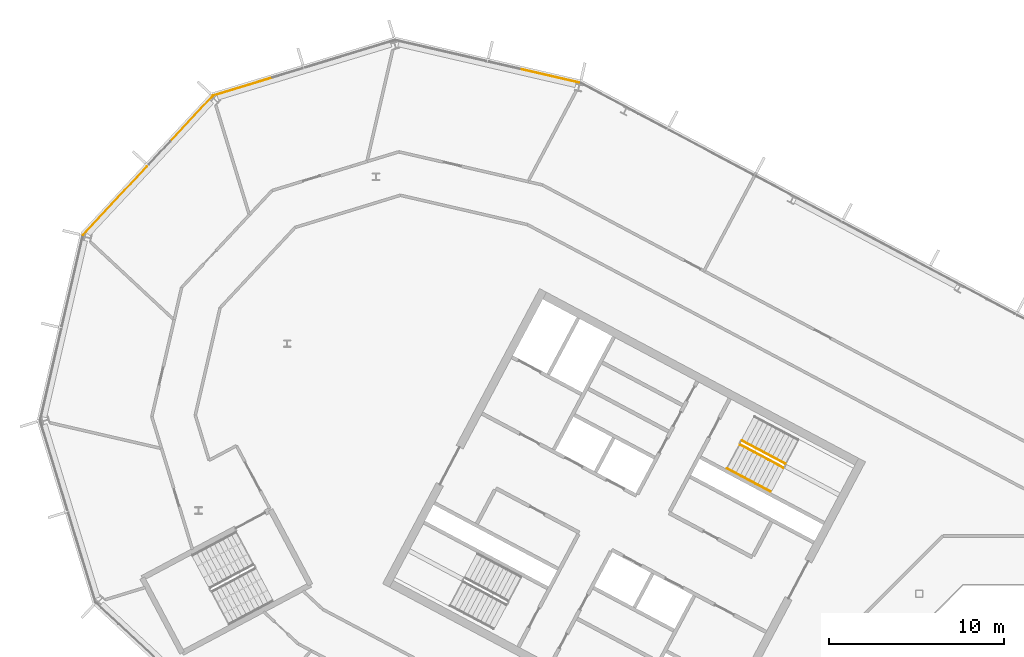
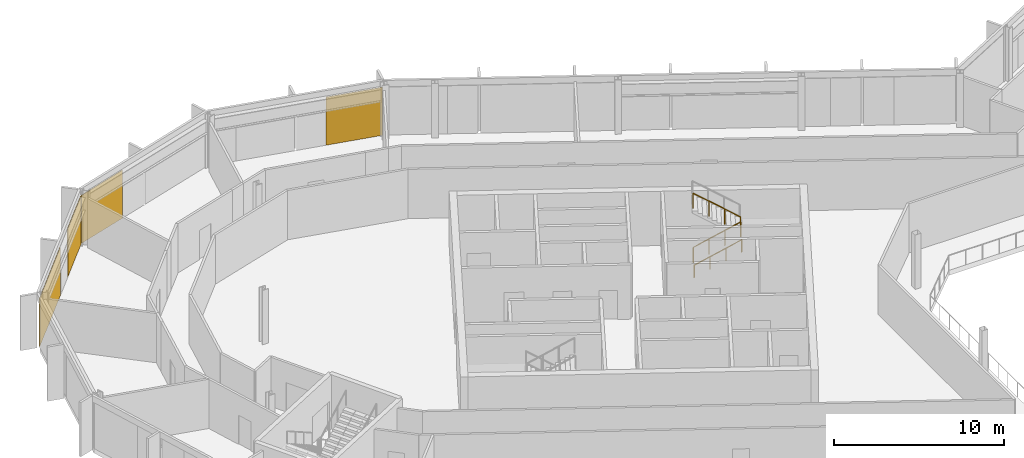
# One storey, part 22 of 26: 4 coverings, 3 railings, 3 elements without a shape of their own.
"""IFC4 building model written with IfcOpenShell, lengths in metres."""

from ifc_helpers import new_model, si_unit, direction, frame, origin, origin_2d, place, context, subcontext, project, spatial, polyline, rectangle, outline, extrude, material, layer, layer_set, type_object, element, aggregate, save


model = new_model("IFC4")

# Units and contexts
model_context = context("Model", 3, precision=1e-05, world=origin(), true_north=direction((0.0, 1.0)))
body_context = subcontext(model_context, "Body", "Model", "MODEL_VIEW")
ifc_project = project(units=[si_unit("LENGTHUNIT", "METRE"), si_unit("AREAUNIT", "SQUARE_METRE"), si_unit("VOLUMEUNIT", "CUBIC_METRE"), si_unit("PLANEANGLEUNIT", "RADIAN"), si_unit("MASSUNIT", "GRAM", prefix="KILO")], contexts=[model_context])

# Site, building, storey
site_placement = place(None, origin())
site = spatial("IfcSite", under=ifc_project, at=site_placement, CompositionType="ELEMENT")
building_placement = place(site_placement, origin())
building = spatial("IfcBuilding", under=site, at=building_placement, Name="Cormorant Relay Tower", CompositionType="ELEMENT")
storey_placement = place(building_placement, frame((0.0, 0.0, 293.10009765625)))
storey = spatial("IfcBuildingStorey", under=building, at=storey_placement, Name="L66", CompositionType="ELEMENT", Elevation=293.10009765625)

# Curtain wall, covering
ifc_material_1 = material(Name="Aluminium 6063-T6 anodised bronze", Category="aluminium")
ifc_layer_1 = layer(ifc_material_1, 0.199951171875)
ifc_layer_set_1 = layer_set([ifc_layer_1], Name="CW1 unitised bronze curtain wall with vertical fins")
curtain_wall_type = type_object("IfcCurtainWallType", Name="CW1 unitised bronze curtain wall with vertical fins", PredefinedType="NOTDEFINED", material=ifc_layer_set_1)
curtain_wall_1_placement = place(storey_placement, origin())
curtain_wall_1 = element("IfcCurtainWall", 1, at=curtain_wall_1_placement, inside=storey, type_object=curtain_wall_type, Name="CW1 curtain wall 10", PredefinedType="NOTDEFINED")
ifc_material_2 = material(Name="Pale bronze anodised aluminium insulated panel", Category="aluminium")
ifc_layer_2 = layer(ifc_material_2, 0.0400390625)
ifc_layer_set_2 = layer_set([ifc_layer_2], Name="CW1 pale bronze insulated panel 40")
covering_type = type_object("IfcCoveringType", Name="CW1 pale bronze insulated panel 40", PredefinedType="CLADDING", material=ifc_layer_set_2)
covering_1_placement = place(storey_placement, frame((-31.640380859375, 40.096435546875, 0.0), z_axis=(0.0, 0.0, 1.0), x_axis=(-0.974370064785, 0.224951054344, 0.0)))
covering_1 = element("IfcCovering", 2, at=covering_1_placement, type_object=covering_type, Name="CW1 panel S00", PredefinedType="CLADDING", context=body_context, shape_type="SweptSolid", body=[
    extrude(rectangle(XDim=3.485107421875, YDim=0.0400390625, at=origin_2d()), origin(), (0.0, 0.0, 1.0), 3.449951171875),
])
aggregate(curtain_wall_1, [covering_1])

curtain_wall_2_placement = place(storey_placement, origin())
curtain_wall_2 = element("IfcCurtainWall", 3, at=curtain_wall_2_placement, inside=storey, type_object=curtain_wall_type, Name="CW1 curtain wall 11", PredefinedType="NOTDEFINED")
covering_2_placement = place(storey_placement, frame((-49.16455078125, 39.474853515625, 0.0), z_axis=(0.0, 0.0, 1.0), x_axis=(-0.956304755963, -0.292371704723, 0.0)))
covering_2 = element("IfcCovering", 4, at=covering_2_placement, type_object=covering_type, Name="CW1 panel S02", PredefinedType="CLADDING", context=body_context, shape_type="SweptSolid", body=[
    extrude(rectangle(XDim=3.560302734375, YDim=0.0400390625, at=origin_2d()), origin(), (0.0, 0.0, 1.0), 3.449951171875),
])
aggregate(curtain_wall_2, [covering_2])

# Curtain wall, coverings
curtain_wall_3_placement = place(storey_placement, origin())
curtain_wall_3 = element("IfcCurtainWall", 5, at=curtain_wall_3_placement, inside=storey, type_object=curtain_wall_type, Name="CW1 curtain wall 12", PredefinedType="NOTDEFINED")
covering_3_placement = place(storey_placement, frame((-52.115234375, 37.61962890625, 0.0), z_axis=(0.0, 0.0, 1.0), x_axis=(-0.681998360062, -0.731353701619, 0.0)))
covering_3 = element("IfcCovering", 6, at=covering_3_placement, type_object=covering_type, Name="CW1 panel S00", PredefinedType="CLADDING", context=body_context, shape_type="SweptSolid", body=[
    extrude(rectangle(XDim=3.485107421875, YDim=0.0400390625, at=origin_2d()), origin(), (0.0, 0.0, 1.0), 3.449951171875),
])
covering_4_placement = place(storey_placement, frame((-56.461181640625, 32.958984375, 0.0), z_axis=(0.0, 0.0, 1.0), x_axis=(-0.681998360062, -0.731353701619, 0.0)))
covering_4 = element("IfcCovering", 7, at=covering_4_placement, type_object=covering_type, Name="CW1 panel S02", PredefinedType="CLADDING", context=body_context, shape_type="SweptSolid", body=[
    extrude(rectangle(XDim=5.360107421875, YDim=0.0400390625, at=origin_2d()), origin(), (0.0, 0.0, 1.0), 3.449951171875),
])
aggregate(curtain_wall_3, [covering_3, covering_4])

# Railings
ifc_material_3 = material(Name="Steel ASTM A572 Grade 50 (Fy 345 MPa)", Category="steel")
railing_type_1 = type_object("IfcRailingType", Name="Stair guard 1100", PredefinedType="GUARDRAIL", material=ifc_material_3)
railing_1_placement = place(storey_placement, frame((-20.75048828125, 19.017822265625, 0.17724609375)))
element("IfcRailing", 8, at=railing_1_placement, inside=storey, type_object=railing_type_1, Name="L66 A1 stair guard 1", PredefinedType="GUARDRAIL", context=body_context, shape_type="SweptSolid", body=[
    extrude(outline(polyline([(0.022216796875, 0.00927734375), (0.00927734375, 0.022216796875), (-0.00927734375, 0.022216796875), (-0.022216796875, 0.00927734375), (-0.022216796875, -0.00927734375), (-0.00927734375, -0.022216796875), (0.00927734375, -0.022216796875), (0.022216796875, -0.00927734375), (0.022216796875, 0.00927734375)])), frame((0.0, 0.0, 1.076171875), z_axis=(0.746001213114, -0.396649272309, 0.534931345884), x_axis=(0.469465464807, 0.882950835185, 0.0)), (0.0, 0.0, 1.0), 3.31396484375),
    extrude(outline(polyline([(0.019287109375, 0.008056640625), (0.008056640625, 0.019287109375), (-0.008056640625, 0.019287109375), (-0.019287109375, 0.008056640625), (-0.019287109375, -0.008056640625), (-0.008056640625, -0.019287109375), (0.008056640625, -0.019287109375), (0.019287109375, -0.008056640625), (0.019287109375, 0.008056640625)])), origin(), (0.0, 0.0, 1.0), 1.052001953125),
    extrude(outline(polyline([(0.019287109375, 0.008056640625), (0.008056640625, 0.019287109375), (-0.008056640625, 0.019287109375), (-0.019287109375, 0.008056640625), (-0.019287109375, -0.008056640625), (-0.008056640625, -0.019287109375), (0.008056640625, -0.019287109375), (0.019287109375, -0.008056640625), (0.019287109375, 0.008056640625)])), frame((0.823974609375, -0.438232421875, 0.5908203125)), (0.0, 0.0, 1.0), 1.052001953125),
    extrude(outline(polyline([(0.019287109375, 0.008056640625), (0.008056640625, 0.019287109375), (-0.008056640625, 0.019287109375), (-0.019287109375, 0.008056640625), (-0.019287109375, -0.008056640625), (-0.008056640625, -0.019287109375), (0.008056640625, -0.019287109375), (0.019287109375, -0.008056640625), (0.019287109375, 0.008056640625)])), frame((1.648193359375, -0.876220703125, 1.181884765625)), (0.0, 0.0, 1.0), 1.052001953125),
    extrude(outline(polyline([(0.019287109375, 0.008056640625), (0.008056640625, 0.019287109375), (-0.008056640625, 0.019287109375), (-0.019287109375, 0.008056640625), (-0.019287109375, -0.008056640625), (-0.008056640625, -0.019287109375), (0.008056640625, -0.019287109375), (0.019287109375, -0.008056640625), (0.019287109375, 0.008056640625)])), frame((2.47216796875, -1.314453125, 1.772705078125)), (0.0, 0.0, 1.0), 1.052001953125),
])
railing_2_placement = place(storey_placement, frame((-18.160888671875, 17.924072265625, 2.127197265625)))
element("IfcRailing", 9, at=railing_2_placement, inside=storey, type_object=railing_type_1, Name="L66 A1 stair guard 3", PredefinedType="GUARDRAIL", context=body_context, shape_type="SweptSolid", body=[
    extrude(outline(polyline([(0.022216796875, 0.00927734375), (0.00927734375, 0.022216796875), (-0.00927734375, 0.022216796875), (-0.022216796875, 0.00927734375), (-0.022216796875, -0.00927734375), (-0.00927734375, -0.022216796875), (0.00927734375, -0.022216796875), (0.022216796875, -0.00927734375), (0.022216796875, 0.00927734375)])), frame((0.0, 0.0, 1.076171875), z_axis=(-0.746033882577, 0.396627473466, 0.534901947407), x_axis=(-0.469429322983, -0.882970050864, 0.0)), (0.0, 0.0, 1.0), 3.31396484375),
    extrude(outline(polyline([(0.019287109375, 0.008056640625), (0.008056640625, 0.019287109375), (-0.008056640625, 0.019287109375), (-0.019287109375, 0.008056640625), (-0.019287109375, -0.008056640625), (-0.008056640625, -0.019287109375), (0.008056640625, -0.019287109375), (0.019287109375, -0.008056640625), (0.019287109375, 0.008056640625)])), origin(), (0.0, 0.0, 1.0), 1.052001953125),
    extrude(outline(polyline([(0.019287109375, 0.008056640625), (0.008056640625, 0.019287109375), (-0.008056640625, 0.019287109375), (-0.019287109375, 0.008056640625), (-0.019287109375, -0.008056640625), (-0.008056640625, -0.019287109375), (0.008056640625, -0.019287109375), (0.019287109375, -0.008056640625), (0.019287109375, 0.008056640625)])), frame((-0.82421875, 0.438232421875, 0.5908203125)), (0.0, 0.0, 1.0), 1.052001953125),
    extrude(outline(polyline([(0.019287109375, 0.008056640625), (0.008056640625, 0.019287109375), (-0.008056640625, 0.019287109375), (-0.019287109375, 0.008056640625), (-0.019287109375, -0.008056640625), (-0.008056640625, -0.019287109375), (0.008056640625, -0.019287109375), (0.019287109375, -0.008056640625), (0.019287109375, 0.008056640625)])), frame((-1.648193359375, 0.876220703125, 1.181884765625)), (0.0, 0.0, 1.0), 1.052001953125),
    extrude(outline(polyline([(0.019287109375, 0.008056640625), (0.008056640625, 0.019287109375), (-0.008056640625, 0.019287109375), (-0.019287109375, 0.008056640625), (-0.019287109375, -0.008056640625), (-0.008056640625, -0.019287109375), (0.008056640625, -0.019287109375), (0.019287109375, -0.008056640625), (0.019287109375, 0.008056640625)])), frame((-2.472412109375, 1.314453125, 1.772705078125)), (0.0, 0.0, 1.0), 1.052001953125),
])
ifc_material_4 = material(Name="Steel ASTM A572 Grade 50 (Fy 345 MPa)", Category="steel")
railing_type_2 = type_object("IfcRailingType", Name="Stair handrail 900", PredefinedType="HANDRAIL", material=ifc_material_4)
railing_3_placement = place(storey_placement, frame((-21.478271484375, 17.6494140625, 0.17724609375)))
element("IfcRailing", 10, at=railing_3_placement, inside=storey, type_object=railing_type_2, Name="L66 A1 stair handrail 1", PredefinedType="HANDRAIL", context=body_context, shape_type="SweptSolid", body=[
    extrude(outline(polyline([(0.022216796875, 0.00927734375), (0.00927734375, 0.022216796875), (-0.00927734375, 0.022216796875), (-0.022216796875, 0.00927734375), (-0.022216796875, -0.00927734375), (-0.00927734375, -0.022216796875), (0.00927734375, -0.022216796875), (0.022216796875, -0.00927734375), (0.022216796875, 0.00927734375)])), frame((0.0, 0.0, 0.8759765625), z_axis=(0.746012083385, -0.396689549623, 0.534886317514), x_axis=(0.469497295046, 0.882933910293, 0.0)), (0.0, 0.0, 1.0), 3.314208984375),
    extrude(outline(polyline([(0.019287109375, 0.008056640625), (0.008056640625, 0.019287109375), (-0.008056640625, 0.019287109375), (-0.019287109375, 0.008056640625), (-0.019287109375, -0.008056640625), (-0.008056640625, -0.019287109375), (0.008056640625, -0.019287109375), (0.019287109375, -0.008056640625), (0.019287109375, 0.008056640625)])), origin(), (0.0, 0.0, 1.0), 0.851806640625),
    extrude(outline(polyline([(0.019287109375, 0.008056640625), (0.008056640625, 0.019287109375), (-0.008056640625, 0.019287109375), (-0.019287109375, 0.008056640625), (-0.019287109375, -0.008056640625), (-0.008056640625, -0.019287109375), (0.008056640625, -0.019287109375), (0.019287109375, -0.008056640625), (0.019287109375, 0.008056640625)])), frame((0.82421875, -0.438232421875, 0.5908203125)), (0.0, 0.0, 1.0), 0.851806640625),
    extrude(outline(polyline([(0.019287109375, 0.008056640625), (0.008056640625, 0.019287109375), (-0.008056640625, 0.019287109375), (-0.019287109375, 0.008056640625), (-0.019287109375, -0.008056640625), (-0.008056640625, -0.019287109375), (0.008056640625, -0.019287109375), (0.019287109375, -0.008056640625), (0.019287109375, 0.008056640625)])), frame((1.648193359375, -0.87646484375, 1.181884765625)), (0.0, 0.0, 1.0), 0.851806640625),
    extrude(outline(polyline([(0.019287109375, 0.008056640625), (0.008056640625, 0.019287109375), (-0.008056640625, 0.019287109375), (-0.019287109375, 0.008056640625), (-0.019287109375, -0.008056640625), (-0.008056640625, -0.019287109375), (0.008056640625, -0.019287109375), (0.019287109375, -0.008056640625), (0.019287109375, 0.008056640625)])), frame((2.472412109375, -1.314697265625, 1.772705078125)), (0.0, 0.0, 1.0), 0.851806640625),
])

save(model, "model.ifc")
